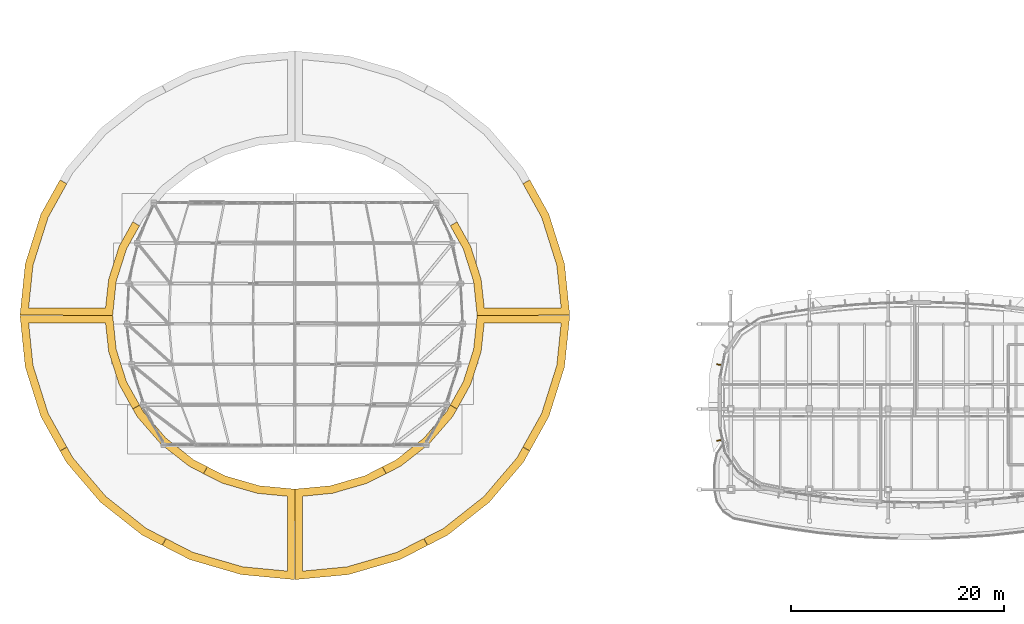
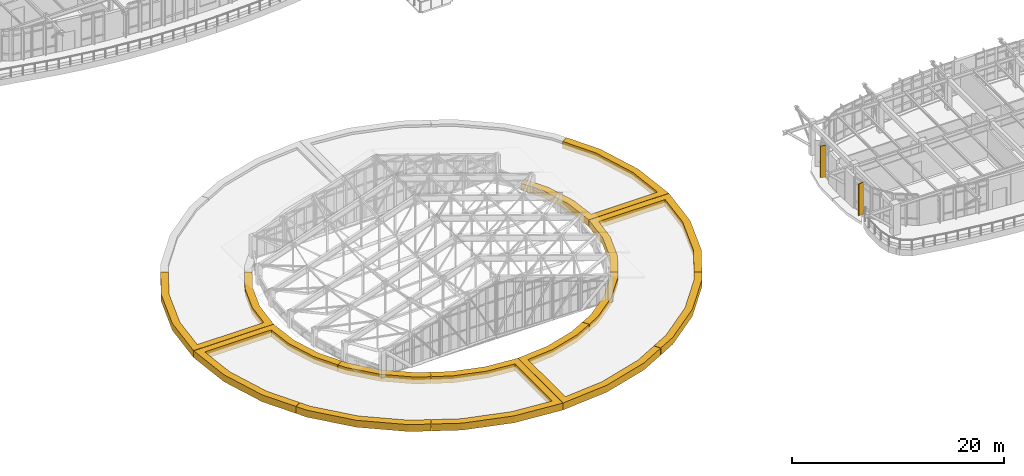
# One storey, part 91 of 105: 12 coverings.
"""IFC4 building model written with IfcOpenShell, lengths in metres."""

from ifc_helpers import new_model, si_unit, direction, frame, origin, place, context, subcontext, project, spatial, polyline, outline, extrude, material, layer, layer_set, type_object, element, save


model = new_model("IFC4")

# Units and contexts
model_context = context("Model", 3, precision=1e-05, world=origin(), true_north=direction((0.0, 1.0)))
body_context = subcontext(model_context, "Body", "Model", "MODEL_VIEW")
ifc_project = project(units=[si_unit("LENGTHUNIT", "METRE"), si_unit("AREAUNIT", "SQUARE_METRE"), si_unit("VOLUMEUNIT", "CUBIC_METRE"), si_unit("PLANEANGLEUNIT", "RADIAN"), si_unit("MASSUNIT", "GRAM", prefix="KILO")], contexts=[model_context])

# Site, building, storey
site_placement = place(None, origin())
site = spatial("IfcSite", under=ifc_project, at=site_placement, CompositionType="ELEMENT")
building_placement = place(site_placement, origin())
building = spatial("IfcBuilding", under=site, at=building_placement, Name="Corveleigh Park Community Centre", CompositionType="ELEMENT")
storey_placement = place(building_placement, frame((0.0, 0.0, 8.699951171875)))
storey = spatial("IfcBuildingStorey", under=building, at=storey_placement, Name="L02", CompositionType="ELEMENT", Elevation=8.699951171875)

# Coverings
ifc_material_1 = material(Name="Warm buff ribbed architectural cladding", Category="masonry")
ifc_layer_1 = layer(ifc_material_1, 0.0849609375, Name="Warm buff ribbed architectural cladding", Category="masonry")
ifc_layer_set_1 = layer_set([ifc_layer_1], Name="Warm buff ribbed architectural cladding")
covering_type_1 = type_object("IfcCoveringType", Name="COV-CLD-BUF", PredefinedType="CLADDING", material=ifc_layer_set_1)
covering_1_placement = place(storey_placement, origin())
element("IfcCovering", 1, at=covering_1_placement, inside=storey, type_object=covering_type_1, Name="V3 L02 Brise-soleil blade 364", PredefinedType="CLADDING", context=body_context, shape_type="SweptSolid", body=[
    extrude(outline(polyline([(71.239013671875, 22.85302734375), (71.256103515625, 22.93701171875), (70.68701171875, 23.050048828125), (70.669921875, 22.966064453125), (71.239013671875, 22.85302734375)])), origin(), (0.0, 0.0, 1.0), 3.6640625),
])
covering_2_placement = place(storey_placement, origin())
element("IfcCovering", 2, at=covering_2_placement, inside=storey, type_object=covering_type_1, Name="V3 L02 Brise-soleil blade 365", PredefinedType="CLADDING", context=body_context, shape_type="SweptSolid", body=[
    extrude(outline(polyline([(71.256103515625, 15.863037109375), (71.239013671875, 15.947021484375), (70.669921875, 15.833984375), (70.68701171875, 15.75), (71.256103515625, 15.863037109375)])), origin(), (0.0, 0.0, 1.0), 3.6640625),
])
ifc_material_2 = material(Name="White architectural fascia cladding", Category="masonry")
ifc_layer_2 = layer(ifc_material_2, 0.074951171875, Name="White architectural fascia cladding", Category="masonry")
ifc_layer_set_2 = layer_set([ifc_layer_2], Name="White architectural fascia cladding")
covering_type_2 = type_object("IfcCoveringType", Name="COV-CLD-WHT", PredefinedType="CLADDING", material=ifc_layer_set_2)
covering_3_placement = place(storey_placement, frame((0.0, 0.0, -0.52001953125)))
element("IfcCovering", 3, at=covering_3_placement, inside=storey, type_object=covering_type_2, Name="Main Hall Conical Overhang White Fascia 1", PredefinedType="CLADDING", context=body_context, shape_type="SweptSolid", body=[
    extrude(outline(polyline([(54.887939453125, 37.1201171875), (56.361083984375, 32.4560546875), (56.85693359375, 27.613037109375), (48.14111328125, 27.60888671875), (47.81103515625, 30.787109375), (46.8359375, 33.85205078125), (45.614990234375, 36.028076171875), (46.256103515625, 36.39794921875), (47.5390625, 34.08203125), (48.51806640625, 31.0048828125), (48.81298828125, 28.301025390625), (56.0458984375, 28.30908203125), (55.635009765625, 32.299072265625), (54.2080078125, 36.821044921875), (52.455078125, 39.972900390625), (53.095947265625, 40.343017578125), (54.887939453125, 37.1201171875)])), origin(), (0.0, 0.0, 1.0), 0.800048828125),
])
covering_4_placement = place(storey_placement, frame((0.0, 0.0, -0.52001953125)))
element("IfcCovering", 4, at=covering_4_placement, inside=storey, type_object=covering_type_2, Name="Main Hall Conical Overhang White Fascia 8", PredefinedType="CLADDING", context=body_context, shape_type="SweptSolid", body=[
    extrude(outline(polyline([(5.14208984375, 27.614013671875), (5.638916015625, 32.4560546875), (7.10693359375, 37.10888671875), (8.904052734375, 40.343017578125), (9.544921875, 39.972900390625), (7.7919921875, 36.821044921875), (6.364990234375, 32.299072265625), (5.9541015625, 28.30908203125), (13.18701171875, 28.301025390625), (13.48193359375, 31.0048828125), (14.4609375, 34.08203125), (15.743896484375, 36.39794921875), (16.385009765625, 36.028076171875), (15.1640625, 33.85205078125), (14.18896484375, 30.787109375), (13.85888671875, 27.60888671875), (5.14208984375, 27.614013671875)])), origin(), (0.0, 0.0, 1.0), 0.800048828125),
])
covering_5_placement = place(storey_placement, frame((0.0, 0.0, -0.52001953125)))
element("IfcCovering", 5, at=covering_5_placement, inside=storey, type_object=covering_type_2, Name="Main Hall Conical Overhang White Fascia 9", PredefinedType="CLADDING", context=body_context, shape_type="SweptSolid", body=[
    extrude(outline(polyline([(7.112060546875, 18.080078125), (5.638916015625, 22.743896484375), (5.14306640625, 27.5869140625), (13.85888671875, 27.591064453125), (14.18896484375, 24.4130859375), (15.1640625, 21.347900390625), (16.385009765625, 19.172119140625), (15.743896484375, 18.802001953125), (14.4609375, 21.117919921875), (13.48193359375, 24.195068359375), (13.18701171875, 26.89892578125), (5.9541015625, 26.89111328125), (6.364990234375, 22.90087890625), (7.7919921875, 18.37890625), (9.544921875, 15.22705078125), (8.904052734375, 14.85693359375), (7.112060546875, 18.080078125)])), origin(), (0.0, 0.0, 1.0), 0.800048828125),
])
covering_6_placement = place(storey_placement, frame((0.0, 0.0, -0.52001953125)))
element("IfcCovering", 6, at=covering_6_placement, inside=storey, type_object=covering_type_2, Name="Main Hall Conical Overhang White Fascia 10", PredefinedType="CLADDING", context=body_context, shape_type="SweptSolid", body=[
    extrude(outline(polyline([(16.638916015625, 6.927001953125), (12.7109375, 10.02490234375), (9.501953125, 13.782958984375), (8.916015625, 14.8349609375), (9.556884765625, 15.205078125), (10.10888671875, 14.2119140625), (13.23095703125, 10.555908203125), (17.034912109375, 7.554931640625), (18.868896484375, 6.613037109375), (18.498046875, 5.970947265625), (16.638916015625, 6.927001953125)])), origin(), (0.0, 0.0, 1.0), 0.800048828125),
])
covering_7_placement = place(storey_placement, frame((0.0, 0.0, -0.52001953125)))
element("IfcCovering", 7, at=covering_7_placement, inside=storey, type_object=covering_type_2, Name="Main Hall Conical Overhang White Fascia 11", PredefinedType="CLADDING", context=body_context, shape_type="SweptSolid", body=[
    extrude(outline(polyline([(16.748046875, 18.52392578125), (18.8798828125, 16.047119140625), (21.47607421875, 14.014892578125), (22.76708984375, 13.35693359375), (22.39599609375, 12.715087890625), (21.02490234375, 13.427978515625), (18.4189453125, 15.467041015625), (16.18408203125, 18.044921875), (15.751953125, 18.787109375), (16.39306640625, 19.156982421875), (16.748046875, 18.52392578125)])), origin(), (0.0, 0.0, 1.0), 0.800048828125),
])
covering_8_placement = place(storey_placement, frame((0.0, 0.0, -0.52001953125)))
element("IfcCovering", 8, at=covering_8_placement, inside=storey, type_object=covering_type_2, Name="Main Hall Conical Overhang White Fascia 12", PredefinedType="CLADDING", context=body_context, shape_type="SweptSolid", body=[
    extrude(outline(polyline([(30.97607421875, 2.739990234375), (25.949951171875, 3.218994140625), (21.110107421875, 4.6298828125), (18.52001953125, 5.9599609375), (18.89111328125, 6.60205078125), (21.3798828125, 5.322998046875), (26.095947265625, 3.947998046875), (30.2900390625, 3.548095703125), (30.298095703125, 10.5810546875), (27.455078125, 10.862060546875), (24.22900390625, 11.794921875), (22.412109375, 12.70703125), (22.781982421875, 13.34912109375), (24.43994140625, 12.50390625), (27.655029296875, 11.573974609375), (30.991943359375, 11.258056640625), (30.97607421875, 2.739990234375)])), origin(), (0.0, 0.0, 1.0), 0.800048828125),
])
covering_9_placement = place(storey_placement, frame((0.0, 0.0, -0.52001953125)))
element("IfcCovering", 9, at=covering_9_placement, inside=storey, type_object=covering_type_2, Name="Main Hall Conical Overhang White Fascia 13", PredefinedType="CLADDING", context=body_context, shape_type="SweptSolid", body=[
    extrude(outline(polyline([(40.89990234375, 4.635009765625), (36.0390625, 3.217041015625), (31.011962890625, 2.742919921875), (31.008056640625, 11.258056640625), (34.344970703125, 11.573974609375), (37.56005859375, 12.50390625), (39.218017578125, 13.34912109375), (39.587890625, 12.70703125), (37.77099609375, 11.794921875), (34.544921875, 10.862060546875), (31.701904296875, 10.5810546875), (31.7099609375, 3.548095703125), (35.904052734375, 3.947998046875), (40.6201171875, 5.322998046875), (43.10888671875, 6.60205078125), (43.47998046875, 5.9599609375), (40.89990234375, 4.635009765625)])), origin(), (0.0, 0.0, 1.0), 0.800048828125),
])
covering_10_placement = place(storey_placement, frame((0.0, 0.0, -0.52001953125)))
element("IfcCovering", 10, at=covering_10_placement, inside=storey, type_object=covering_type_2, Name="Main Hall Conical Overhang White Fascia 14", PredefinedType="CLADDING", context=body_context, shape_type="SweptSolid", body=[
    extrude(outline(polyline([(52.50390625, 13.79296875), (49.280029296875, 10.01708984375), (45.37109375, 6.93310546875), (43.501953125, 5.970947265625), (43.131103515625, 6.613037109375), (44.965087890625, 7.554931640625), (48.76904296875, 10.555908203125), (51.89111328125, 14.2119140625), (52.443115234375, 15.205078125), (53.083984375, 14.8349609375), (52.50390625, 13.79296875)])), origin(), (0.0, 0.0, 1.0), 0.800048828125),
])
covering_11_placement = place(storey_placement, frame((0.0, 0.0, -0.52001953125)))
element("IfcCovering", 11, at=covering_11_placement, inside=storey, type_object=covering_type_2, Name="Main Hall Conical Overhang White Fascia 15", PredefinedType="CLADDING", context=body_context, shape_type="SweptSolid", body=[
    extrude(outline(polyline([(40.52392578125, 14.014892578125), (43.1201171875, 16.047119140625), (45.251953125, 18.52392578125), (45.60693359375, 19.156982421875), (46.248046875, 18.787109375), (45.81591796875, 18.044921875), (43.5810546875, 15.467041015625), (40.97509765625, 13.427978515625), (39.60400390625, 12.715087890625), (39.23291015625, 13.35693359375), (40.52392578125, 14.014892578125)])), origin(), (0.0, 0.0, 1.0), 0.800048828125),
])
covering_12_placement = place(storey_placement, frame((0.0, 0.0, -0.52001953125)))
element("IfcCovering", 12, at=covering_12_placement, inside=storey, type_object=covering_type_2, Name="Main Hall Conical Overhang White Fascia 16", PredefinedType="CLADDING", context=body_context, shape_type="SweptSolid", body=[
    extrude(outline(polyline([(56.85791015625, 27.5859375), (56.361083984375, 22.743896484375), (54.89306640625, 18.091064453125), (53.095947265625, 14.85693359375), (52.455078125, 15.22705078125), (54.2080078125, 18.37890625), (55.635009765625, 22.90087890625), (56.0458984375, 26.89111328125), (48.81298828125, 26.89892578125), (48.51806640625, 24.195068359375), (47.5390625, 21.117919921875), (46.256103515625, 18.802001953125), (45.614990234375, 19.172119140625), (46.8359375, 21.347900390625), (47.81103515625, 24.4130859375), (48.14111328125, 27.591064453125), (56.85791015625, 27.5859375)])), origin(), (0.0, 0.0, 1.0), 0.800048828125),
])

save(model, "model.ifc")
